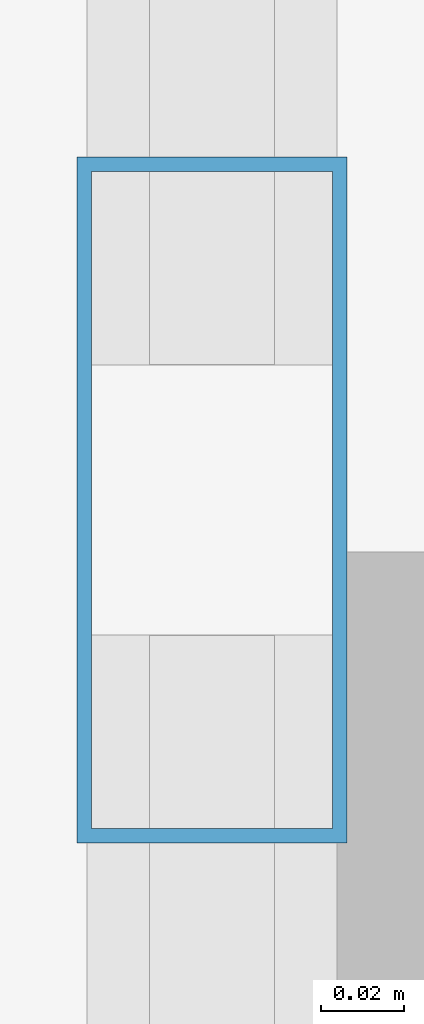
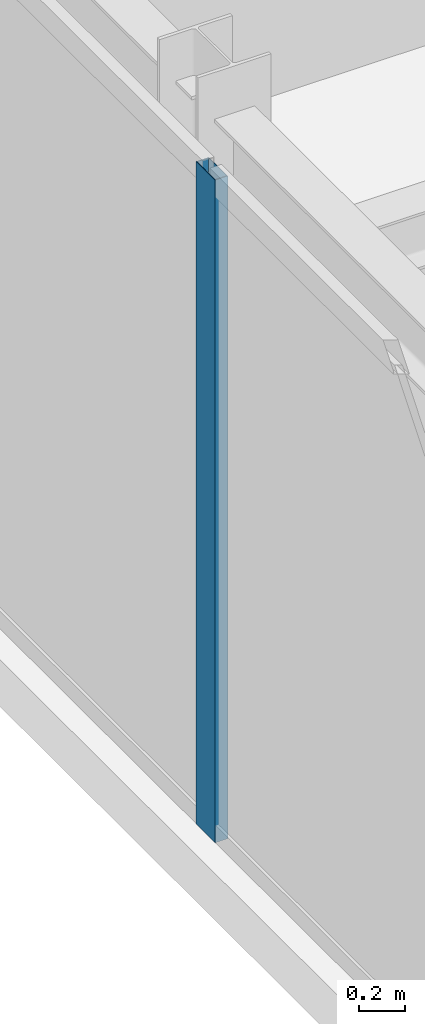
# One storey, part 10 of 30: 1 member, 1 element without a shape of its own.
"""IFC4 building model written with IfcOpenShell, lengths in metres."""

import ifcopenshell
import ifcopenshell.guid

model = None  # the IFC model being written
_history = None  # IfcOwnerHistory: only IFC2X3 demands one
_inside = {}  # id of a spatial element -> (the spatial element, [elements in it])
_under = {}  # id of a project, library or spatial element -> (it, [spatial elements below it])
_declared = {}  # id of a project -> (the project, [libraries it declares])
_typed = {}  # id of a type object -> (the type object, [elements of that type])
_made_of = {}  # id of a material, layer set ... -> (it, [elements and type objects made of it])


def new_model(schema):
    """Start an empty IFC model of exactly this schema.

    Asked for "IFC4X3", IfcOpenShell would pick the latest addendum, in which some entities
    have other attributes; the version numbers below select the first issue.
    IFC2X3 requires an IfcOwnerHistory on every rooted entity: one is made here for all.
    """
    global model, _history
    if schema == "IFC4X3":
        model = ifcopenshell.file(schema_version=(4, 3, 0, 0))
    else:
        model = ifcopenshell.file(schema=schema)
    _inside.clear()
    _under.clear()
    _declared.clear()
    _typed.clear()
    _made_of.clear()
    _history = None
    if model.schema == "IFC2X3":
        org = make("IfcOrganization", Name="unknown")
        user = make(
            "IfcPersonAndOrganization",
            ThePerson=make("IfcPerson", FamilyName="unknown"),
            TheOrganization=org,
        )
        app = make(
            "IfcApplication",
            ApplicationDeveloper=org,
            Version="unknown",
            ApplicationFullName="unknown",
            ApplicationIdentifier="unknown",
        )
        _history = make(
            "IfcOwnerHistory",
            OwningUser=user,
            OwningApplication=app,
            ChangeAction="ADDED",
            CreationDate=0,
        )
    return model


def make(cls, **values):
    """One entity of the class cls with the attributes given. An attribute that is None is left unset."""
    return model.create_entity(
        cls, **{name: value for name, value in values.items() if value is not None}
    )


def rooted(cls, **values):
    """An entity with a GlobalId (a new one), such as an element, a storey or a relation."""
    return make(cls, GlobalId=ifcopenshell.guid.new(), OwnerHistory=_history, **values)


def si_unit(unit_type, name, prefix=None):
    """IfcSIUnit, for example si_unit("LENGTHUNIT", "METRE", prefix="MILLI")."""
    return make("IfcSIUnit", UnitType=unit_type, Prefix=prefix, Name=name)


def assignment(units):
    """IfcUnitAssignment: the units of a project."""
    return None if units is None else make("IfcUnitAssignment", Units=units)


def point(xyz):
    """IfcCartesianPoint."""
    return None if xyz is None else make("IfcCartesianPoint", Coordinates=xyz)


def direction(xyz):
    """IfcDirection."""
    return None if xyz is None else make("IfcDirection", DirectionRatios=xyz)


def frame(location, z_axis=None, x_axis=None):
    """IfcAxis2Placement3D, a coordinate frame: its origin and axes. An axis left out is left unset."""
    return make(
        "IfcAxis2Placement3D",
        Location=point(location),
        Axis=direction(z_axis),
        RefDirection=direction(x_axis),
    )


def frame_2d(location, x_axis=None):
    """IfcAxis2Placement2D, a coordinate frame in the plane: its origin and x axis."""
    return make(
        "IfcAxis2Placement2D", Location=point(location), RefDirection=direction(x_axis)
    )


def origin():
    """The frame at (0, 0, 0) with its axes left unset."""
    return frame((0.0, 0.0, 0.0))


def origin_2d():
    """The frame at (0, 0) in the plane with its x axis left unset."""
    return frame_2d((0.0, 0.0))


def place(relative_to, where):
    """IfcLocalPlacement: puts the frame where relative to a parent placement (None: the world)."""
    return make(
        "IfcLocalPlacement", PlacementRelTo=relative_to, RelativePlacement=where
    )


def context(
    kind, dimensions, precision=None, world=None, true_north=None, identifier=None
):
    """IfcGeometricRepresentationContext, for example the 3D "Model" context."""
    return make(
        "IfcGeometricRepresentationContext",
        ContextIdentifier=identifier,
        ContextType=kind,
        CoordinateSpaceDimension=dimensions,
        Precision=precision,
        WorldCoordinateSystem=world,
        TrueNorth=true_north,
    )


def subcontext(parent, identifier, kind, view, scale=None):
    """IfcGeometricRepresentationSubContext, for example "Body" below "Model"."""
    return make(
        "IfcGeometricRepresentationSubContext",
        ContextIdentifier=identifier,
        ContextType=kind,
        ParentContext=parent,
        TargetScale=scale,
        TargetView=view,
    )


def project(units=None, contexts=None):
    """IfcProject with its units and contexts."""
    return rooted(
        "IfcProject",
        Name="project",
        RepresentationContexts=contexts,
        UnitsInContext=assignment(units),
    )


def spatial(cls, under=None, at=None, **own):
    """A site, building, storey or space (cls), placed at a placement, below another one or the project."""
    s = rooted(cls, ObjectPlacement=at, **own)
    if under is not None:
        _under.setdefault(under.id(), (under, []))[1].append(s)
    return s


def profile(cls, at=None, kind="AREA", **sizes):
    """A parametric profile (cls). Its sizes go by their IFC names, for example OverallWidth=200.0."""
    return make(cls, ProfileType=kind, Position=at, **sizes)


def hollow_rectangle(**sizes):
    """IfcRectangleHollowProfileDef."""
    return profile("IfcRectangleHollowProfileDef", **sizes)


def extrude(swept, where, along, depth):
    """IfcExtrudedAreaSolid: the profile swept, set in the frame where, extruded along a direction by depth."""
    return make(
        "IfcExtrudedAreaSolid",
        SweptArea=swept,
        Position=where,
        ExtrudedDirection=direction(along),
        Depth=depth,
    )


def shape(context_of_items, identifier, shape_type, items):
    """IfcShapeRepresentation: the items that make up one representation, for example the "Body"."""
    return make(
        "IfcShapeRepresentation",
        ContextOfItems=context_of_items,
        RepresentationIdentifier=identifier,
        RepresentationType=shape_type,
        Items=items,
    )


def source(mapping_origin, context_of_items, identifier, shape_type, items):
    """IfcRepresentationMap: a shape defined once, which mapped items show again and again."""
    return make(
        "IfcRepresentationMap",
        MappingOrigin=mapping_origin,
        MappedRepresentation=shape(context_of_items, identifier, shape_type, items),
    )


def transform(
    local_origin,
    x_axis=None,
    y_axis=None,
    z_axis=None,
    scale=None,
    scale2=None,
    scale3=None,
    uniform=True,
):
    """IfcCartesianTransformationOperator3D, or its non-uniform kind. x_axis, y_axis, z_axis: its Axis1, 2, 3."""
    if uniform:
        return make(
            "IfcCartesianTransformationOperator3D",
            Axis1=direction(x_axis),
            Axis2=direction(y_axis),
            LocalOrigin=point(local_origin),
            Scale=scale,
            Axis3=direction(z_axis),
        )
    return make(
        "IfcCartesianTransformationOperator3DnonUniform",
        Axis1=direction(x_axis),
        Axis2=direction(y_axis),
        LocalOrigin=point(local_origin),
        Scale=scale,
        Axis3=direction(z_axis),
        Scale2=scale2,
        Scale3=scale3,
    )


def mapped(mapping_source, mapping_target):
    """IfcMappedItem: shows the shape of a source again, moved by a transform."""
    return make(
        "IfcMappedItem", MappingSource=mapping_source, MappingTarget=mapping_target
    )


def material(Name=None, Category=None):
    """IfcMaterial."""
    return make("IfcMaterial", Name=Name, Category=Category)


def layer(
    of_material, thickness, ventilated=None, Name=None, Category=None, Priority=None
):
    """IfcMaterialLayer: one layer of a wall or slab, of a material (None: an air gap)."""
    return make(
        "IfcMaterialLayer",
        Material=of_material,
        LayerThickness=thickness,
        IsVentilated=ventilated,
        Name=Name,
        Category=Category,
        Priority=Priority,
    )


def layer_set(layers, Name=None):
    """IfcMaterialLayerSet."""
    return make("IfcMaterialLayerSet", MaterialLayers=layers, LayerSetName=Name)


def material_profile(
    of_material, cross_section, Name=None, Category=None, Priority=None
):
    """IfcMaterialProfile: a cross section and its material."""
    return make(
        "IfcMaterialProfile",
        Name=Name,
        Material=of_material,
        Profile=cross_section,
        Priority=Priority,
        Category=Category,
    )


def profile_set(profiles, Name=None, composite=None):
    """IfcMaterialProfileSet."""
    return make(
        "IfcMaterialProfileSet",
        Name=Name,
        MaterialProfiles=profiles,
        CompositeProfile=composite,
    )


def made_of(thing, what):
    """Note that an element or type object is made of a material, layer set ...; save() writes the relation."""
    if what is not None:
        _made_of.setdefault(what.id(), (what, []))[1].append(thing)
    return thing


def type_object(cls, material=None, **own):
    """A type object (cls), such as IfcWallType, which elements share."""
    return made_of(rooted(cls, **own), material)


def type_shapes(of_type, sources):
    """Give a type object the sources (RepresentationMaps) that its elements show as mapped items."""
    of_type.RepresentationMaps = sources


def element(
    cls,
    number,
    at=None,
    inside=None,
    cuts=None,
    type_object=None,
    material=None,
    context=None,
    identifier="Body",
    shape_type=None,
    held_by="IfcProductDefinitionShape",
    body=None,
    shapes=None,
    **own,
):
    """One element of the class cls, such as IfcWall. Its Tag is "e" and its number.

    at: its placement. inside: the storey or other place that contains it. cuts: it is an
    opening in that element (IfcRelVoidsElement). A single representation is given by context,
    identifier, shape_type and body (its items); several are given by shapes. held_by: the class
    of the entity that holds the representations. save() writes the other relations.
    """
    e = rooted(cls, Tag="e%d" % number, ObjectPlacement=at, **own)
    if body is not None:
        shapes = [shape(context, identifier, shape_type, body)]
    if shapes is not None:
        e.Representation = make(held_by, Representations=shapes)
    if inside is not None:
        _inside.setdefault(inside.id(), (inside, []))[1].append(e)
    if cuts is not None:
        rooted(
            "IfcRelVoidsElement", RelatingBuildingElement=cuts, RelatedOpeningElement=e
        )
    if type_object is not None:
        _typed.setdefault(type_object.id(), (type_object, []))[1].append(e)
    return made_of(e, material)


def aggregate(whole, parts):
    """IfcRelAggregates: a whole, such as a stair, and the parts it consists of."""
    return rooted("IfcRelAggregates", RelatingObject=whole, RelatedObjects=parts)


def save(model, path):
    """Write the relations noted so far, then the file.

    IfcRelAggregates (storeys below a building ...), IfcRelContainedInSpatialStructure (elements
    in a storey), IfcRelDefinesByType, IfcRelAssociatesMaterial and IfcRelDeclares: one each for
    every whole, place, type object, material and project.
    """
    for whole, parts in _under.values():
        aggregate(whole, parts)
    for where, things in _inside.values():
        rooted(
            "IfcRelContainedInSpatialStructure",
            RelatedElements=things,
            RelatingStructure=where,
        )
    for kind, things in _typed.values():
        rooted("IfcRelDefinesByType", RelatedObjects=things, RelatingType=kind)
    for what, things in _made_of.values():
        rooted("IfcRelAssociatesMaterial", RelatedObjects=things, RelatingMaterial=what)
    for by, libraries in _declared.values():
        rooted("IfcRelDeclares", RelatingContext=by, RelatedDefinitions=libraries)
    model.write(path)


model = new_model("IFC4")

# Units and contexts
model_context = context("Model", 3, precision=1e-05, world=origin(), true_north=direction((0.0, 1.0)))
body_context = subcontext(model_context, "Body", "Model", "MODEL_VIEW")
ifc_project = project(units=[si_unit("LENGTHUNIT", "METRE"), si_unit("AREAUNIT", "SQUARE_METRE"), si_unit("VOLUMEUNIT", "CUBIC_METRE"), si_unit("PLANEANGLEUNIT", "RADIAN"), si_unit("MASSUNIT", "GRAM", prefix="KILO")], contexts=[model_context])

# Site, building, storey
site_placement = place(None, origin())
site = spatial("IfcSite", under=ifc_project, at=site_placement, CompositionType="ELEMENT")
building_placement = place(site_placement, origin())
building = spatial("IfcBuilding", under=site, at=building_placement, Name="Varnel Quay Broadcast Tower", CompositionType="ELEMENT")
storey_placement = place(building_placement, frame((0.0, 0.0, 247.0)))
storey = spatial("IfcBuildingStorey", under=building, at=storey_placement, Name="L61", CompositionType="ELEMENT", Elevation=247.0)

# Curtain wall, member
ifc_material = material(Name="Anodised Bronze Aluminium 6063-T6", Category="aluminium")
ifc_layer = layer(ifc_material, 0.18994140625, Name="Anodised Bronze Aluminium 6063-T6")
ifc_layer_set = layer_set([ifc_layer], Name="Anodised Bronze Aluminium 6063-T6")
curtain_wall_type = type_object("IfcCurtainWallType", Name="CW_UpperTower", PredefinedType="NOTDEFINED", material=ifc_layer_set)
curtain_wall_placement = place(storey_placement, origin())
curtain_wall = element("IfcCurtainWall", 1, at=curtain_wall_placement, inside=storey, type_object=curtain_wall_type, Name="L61 West Unitised Curtain Wall", PredefinedType="NOTDEFINED")
ifc_material_profile = material_profile(ifc_material, hollow_rectangle(XDim=0.06494140625, YDim=0.1650390625, WallThickness=0.00341796875, at=origin_2d()), Name="ALU65X165X3.5")
ifc_profile_set = profile_set([ifc_material_profile], Name="Anodised Bronze Aluminium 6063-T6")
member_type = type_object("IfcMemberType", Name="Mull_CWS-03", PredefinedType="MULLION", material=ifc_profile_set)
shared_shape = source(origin(), body_context, "Body", "SweptSolid", [
    extrude(hollow_rectangle(XDim=0.06494140625, YDim=0.1650390625, WallThickness=0.00341796875, at=origin_2d()), origin(), (0.0, 0.0, 1.0), 3.550048828125),
])
type_shapes(member_type, [shared_shape])
member_placement = place(storey_placement, frame((9.64990234375, 28.5, 0.0), z_axis=(0.0, 0.0, 1.0), x_axis=(-1.0, 0.0, 0.0)))
member = element("IfcMember", 2, at=member_placement, type_object=member_type, Name="CWS-03 mullion 2", PredefinedType="MULLION", context=body_context, shape_type="MappedRepresentation", body=[
    mapped(shared_shape, transform((0.0, 0.0, 0.0), x_axis=(1.0, 0.0, 0.0), y_axis=(0.0, 1.0, 0.0), z_axis=(0.0, 0.0, 1.0), scale=1.0)),
])
aggregate(curtain_wall, [member])

save(model, "model.ifc")
